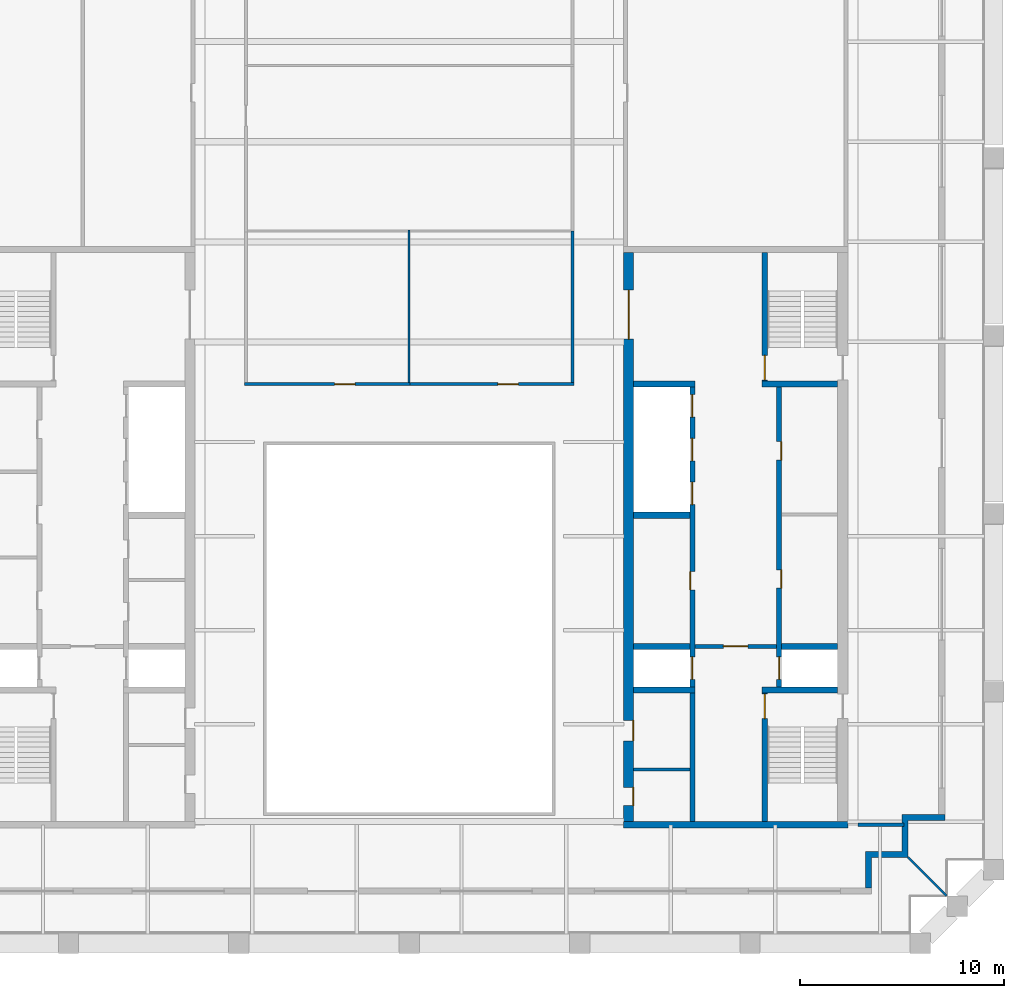
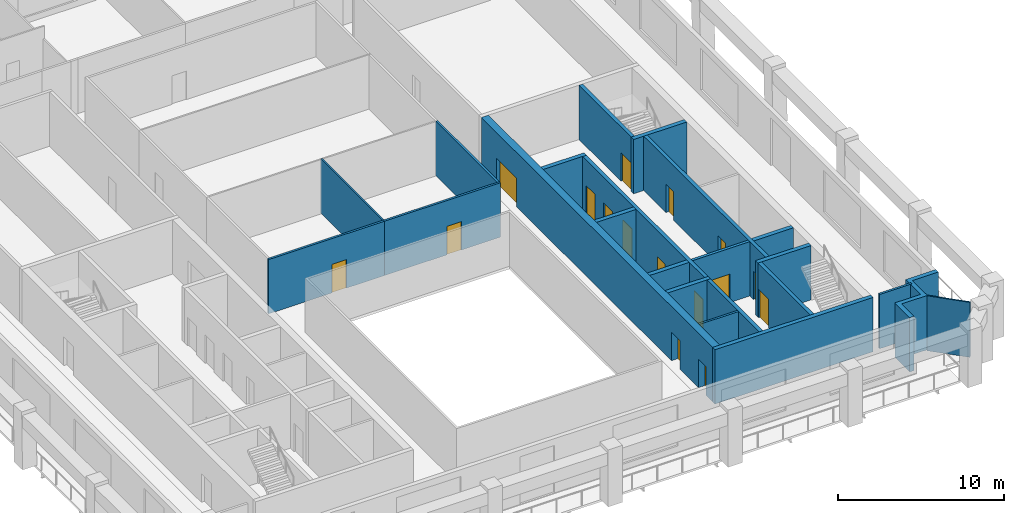
# One storey, part 4 of 8: 22 walls, 16 doors, 16 openings.
"""IFC4 building model written with IfcOpenShell, lengths in metres."""

from ifc_helpers import new_model, si_unit, direction, frame, frame_2d, origin, place, context, subcontext, project, spatial, polyline, rectangle, outline, extrude, material, layer, layer_set, type_object, element, fill, save


model = new_model("IFC4")

# Units and contexts
model_context = context("Model", 3, precision=1e-05, world=origin(), true_north=direction((0.0, 1.0)))
body_context = subcontext(model_context, "Body", "Model", "MODEL_VIEW")
ifc_project = project(units=[si_unit("LENGTHUNIT", "METRE"), si_unit("AREAUNIT", "SQUARE_METRE"), si_unit("VOLUMEUNIT", "CUBIC_METRE"), si_unit("PLANEANGLEUNIT", "RADIAN"), si_unit("MASSUNIT", "GRAM", prefix="KILO")], contexts=[model_context])

# Site, building, storey
site_placement = place(None, origin())
site = spatial("IfcSite", under=ifc_project, at=site_placement, CompositionType="ELEMENT")
building_placement = place(site_placement, origin())
building = spatial("IfcBuilding", under=site, at=building_placement, Name="Ogive Exchange Tower", CompositionType="ELEMENT")
storey_placement = place(building_placement, frame((0.0, 0.0, 351.0)))
storey = spatial("IfcBuildingStorey", under=building, at=storey_placement, Name="L77", CompositionType="ELEMENT", Elevation=351.0)

# Wall
ifc_material_1 = material(Name="Gypsum board partition")
ifc_layer_1 = layer(ifc_material_1, 0.14990234375)
ifc_layer_set_1 = layer_set([ifc_layer_1], Name="Core room partition 150 gypsum")
wall_type_1 = type_object("IfcWallType", Name="Core room partition 150 gypsum", PredefinedType="PARTITIONING", material=ifc_layer_set_1)
wall_1_placement = place(storey_placement, frame((11.0, 0.10009765625, 0.0), z_axis=(0.0, 0.0, 1.0), x_axis=(1.0, 0.0, 0.0)))
element("IfcWall", 1, at=wall_1_placement, inside=storey, type_object=wall_type_1, Name="E south room partition", PredefinedType="PARTITIONING", context=body_context, shape_type="SweptSolid", body=[
    extrude(rectangle(XDim=2.75, YDim=0.14990234375, at=frame_2d((1.375, 0.0))), origin(), (0.0, 0.0, 1.0), 4.0),
])

# Wall, opening, door
ifc_material_2 = material(Name="Fire partition EI 60 150")
ifc_layer_2 = layer(ifc_material_2, 0.14990234375)
ifc_layer_set_2 = layer_set([ifc_layer_2], Name="Fire partition EI 60 150")
wall_type_2 = type_object("IfcWallType", Name="Fire partition EI 60 150", PredefinedType="PARTITIONING", material=ifc_layer_set_2)
wall_2_placement = place(storey_placement, frame((-8.074951171875, 19.0, 0.0), z_axis=(0.0, 0.0, 1.0), x_axis=(1.0, 0.0, 0.0)))
wall_2 = element("IfcWall", 2, at=wall_2_placement, inside=storey, type_object=wall_type_2, Name="L77-PWL-012", PredefinedType="PARTITIONING", context=body_context, shape_type="SweptSolid", body=[
    extrude(rectangle(XDim=8.125, YDim=0.14990234375, at=frame_2d((4.0625, 0.0))), origin(), (0.0, 0.0, 1.0), 4.0),
])
opening_1_placement = place(wall_2_placement, frame((4.425048828125, 0.0, 0.0)))
opening_1 = element("IfcOpeningElement", 3, at=opening_1_placement, cuts=wall_2, Name="Opening L77-I14", PredefinedType="OPENING", context=body_context, shape_type="SweptSolid", body=[
    extrude(rectangle(XDim=1.0, YDim=2.10009765625, at=frame_2d((0.5, 1.050048828125))), frame((0.0, 0.0849609375, 0.0), z_axis=(0.0, -1.0, 0.0), x_axis=(1.0, 0.0, 0.0)), (0.0, 0.0, 1.0), 0.169921875),
])
ifc_material_3 = material(Name="Fire door FD 30S 1000 x 2100")
door_type_1 = type_object("IfcDoorType", Name="Fire door FD 30S 1000 x 2100", OperationType="NOTDEFINED", PredefinedType="DOOR", material=ifc_material_3)
door_1_placement = place(opening_1_placement, origin())
door_1 = element("IfcDoor", 4, at=door_1_placement, inside=storey, type_object=door_type_1, Name="L77-IDR-014", ObjectType="DT3", OperationType="SINGLE_SWING_LEFT", OverallHeight=2.10009765625, OverallWidth=1.0, PredefinedType="DOOR", context=body_context, shape_type="SweptSolid", body=[
    extrude(rectangle(XDim=1.0, YDim=2.10009765625, at=frame_2d((0.5, 1.050048828125))), frame((0.0, 0.02490234375, 0.0), z_axis=(0.0, -1.0, 0.0), x_axis=(1.0, 0.0, 0.0)), (0.0, 0.0, 1.0), 0.050048828125),
])
fill(opening_1, door_1)

wall_3_placement = place(storey_placement, frame((0.0, 19.0, 0.0), z_axis=(0.0, 0.0, 1.0), x_axis=(1.0, 0.0, 0.0)))
wall_3 = element("IfcWall", 5, at=wall_3_placement, inside=storey, type_object=wall_type_2, Name="L77-PWL-022", PredefinedType="PARTITIONING", context=body_context, shape_type="SweptSolid", body=[
    extrude(rectangle(XDim=8.074951171875, YDim=0.14990234375, at=frame_2d((4.03759765625, 0.0))), origin(), (0.0, 0.0, 1.0), 4.0),
])
opening_2_placement = place(wall_3_placement, frame((4.35009765625, 0.0, 0.0)))
opening_2 = element("IfcOpeningElement", 6, at=opening_2_placement, cuts=wall_3, Name="Opening L77-I13", PredefinedType="OPENING", context=body_context, shape_type="SweptSolid", body=[
    extrude(rectangle(XDim=1.0, YDim=2.10009765625, at=frame_2d((0.5, 1.050048828125))), frame((0.0, 0.0849609375, 0.0), z_axis=(0.0, -1.0, 0.0), x_axis=(1.0, 0.0, 0.0)), (0.0, 0.0, 1.0), 0.169921875),
])
door_2_placement = place(opening_2_placement, origin())
door_2 = element("IfcDoor", 7, at=door_2_placement, inside=storey, type_object=door_type_1, Name="L77-IDR-013", ObjectType="DT3", OperationType="SINGLE_SWING_LEFT", OverallHeight=2.10009765625, OverallWidth=1.0, PredefinedType="DOOR", context=body_context, shape_type="SweptSolid", body=[
    extrude(rectangle(XDim=1.0, YDim=2.10009765625, at=frame_2d((0.5, 1.050048828125))), frame((0.0, 0.02490234375, 0.0), z_axis=(0.0, -1.0, 0.0), x_axis=(1.0, 0.0, 0.0)), (0.0, 0.0, 1.0), 0.050048828125),
])
fill(opening_2, door_2)

# Walls
wall_4_placement = place(storey_placement, frame((8.0, 19.074951171875, 0.0), z_axis=(0.0, 0.0, 1.0), x_axis=(0.0, 1.0, 0.0)))
element("IfcWall", 8, at=wall_4_placement, inside=storey, type_object=wall_type_2, Name="L77-PWL-028", PredefinedType="PARTITIONING", context=body_context, shape_type="SweptSolid", body=[
    extrude(rectangle(XDim=7.425048828125, YDim=0.14990234375, at=frame_2d((3.71240234375, 0.0))), origin(), (0.0, 0.0, 1.0), 4.0),
])
wall_5_placement = place(storey_placement, frame((22.0, -2.60009765625, 0.0), z_axis=(0.0, 0.0, 1.0), x_axis=(1.0, 0.0, 0.0)))
element("IfcWall", 9, at=wall_5_placement, inside=storey, type_object=wall_type_2, Name="L77-PWL-037", PredefinedType="PARTITIONING", context=body_context, shape_type="SweptSolid", body=[
    extrude(rectangle(XDim=2.25, YDim=0.14990234375, at=frame_2d((1.125, 0.0))), origin(), (0.0, 0.0, 1.0), 4.0),
])
ifc_material_4 = material(Name="Precast concrete C40/50", Category="concrete")
ifc_layer_3 = layer(ifc_material_4, 0.300048828125)
ifc_layer_set_3 = layer_set([ifc_layer_3], Name="Limestone-faced wall 300")
wall_type_3 = type_object("IfcWallType", Name="Limestone-faced wall 300", PredefinedType="STANDARD", material=ifc_layer_set_3)
wall_6_placement = place(storey_placement, origin())
element("IfcWall", 10, at=wall_6_placement, inside=storey, type_object=wall_type_3, Name="External corner wall C1", PredefinedType="STANDARD", context=body_context, shape_type="SweptSolid", body=[
    extrude(outline(polyline([(24.14990234375, -3.89990234375), (24.14990234375, -2.10009765625), (26.25, -2.10009765625), (26.25, -2.39990234375), (24.449951171875, -2.39990234375), (24.449951171875, -4.199951171875), (22.64990234375, -4.199951171875), (22.64990234375, -5.699951171875), (22.35009765625, -5.699951171875), (22.35009765625, -3.89990234375), (24.14990234375, -3.89990234375)])), origin(), (0.0, 0.0, 1.0), 4.0),
])
ifc_material_5 = material(Name="Laminated safety glass in steel frame", Category="steel")
ifc_layer_4 = layer(ifc_material_5, 0.10009765625)
ifc_layer_set_4 = layer_set([ifc_layer_4], Name="Loggia end screen 100")
wall_type_4 = type_object("IfcWallType", Name="Loggia end screen 100", PredefinedType="STANDARD", material=ifc_layer_set_4)
wall_7_placement = place(storey_placement, frame((24.449951171875, -4.199951171875, -0.050048828125), z_axis=(0.0, 0.0, 1.0), x_axis=(0.707106781187, -0.707106781187, 0.0)))
element("IfcWall", 11, at=wall_7_placement, inside=storey, type_object=wall_type_4, Name="Loggia end screen C1", PredefinedType="STANDARD", context=body_context, shape_type="SweptSolid", body=[
    extrude(rectangle(XDim=2.667236328125, YDim=0.10009765625, at=frame_2d((1.33349609375, 0.0))), origin(), (0.0, 0.0, 1.0), 4.050048828125),
])
ifc_material_6 = material(Name="Partition 100 gypsum")
ifc_layer_5 = layer(ifc_material_6, 0.10009765625)
ifc_layer_set_5 = layer_set([ifc_layer_5], Name="Partition 100 gypsum")
wall_type_5 = type_object("IfcWallType", Name="Partition 100 gypsum", PredefinedType="PARTITIONING", material=ifc_layer_set_5)
wall_8_placement = place(storey_placement, frame((0.0, 19.074951171875, 0.0), z_axis=(0.0, 0.0, 1.0), x_axis=(0.0, 1.0, 0.0)))
element("IfcWall", 12, at=wall_8_placement, inside=storey, type_object=wall_type_5, Name="L77-PWL-021", PredefinedType="PARTITIONING", context=body_context, shape_type="SweptSolid", body=[
    extrude(rectangle(XDim=7.47509765625, YDim=0.10009765625, at=frame_2d((3.737548828125, 0.0))), origin(), (0.0, 0.0, 1.0), 4.0),
])

# Wall, opening, door
ifc_material_7 = material(Name="Concrete C70/85", Category="concrete")
ifc_layer_6 = layer(ifc_material_7, 0.199951171875)
ifc_layer_set_6 = layer_set([ifc_layer_6], Name="RC core wall 200 C70/85")
wall_type_6 = type_object("IfcWallType", Name="RC core wall 200 C70/85", PredefinedType="SHEAR", material=ifc_layer_set_6)
wall_9_placement = place(storey_placement, frame((14.0, 6.142822265625, 0.0), z_axis=(0.0, 0.0, 1.0), x_axis=(1.0, 0.0, 0.0)))
wall_9 = element("IfcWall", 13, at=wall_9_placement, inside=storey, type_object=wall_type_6, Name="E firefighting lobby wall", PredefinedType="SHEAR", context=body_context, shape_type="SweptSolid", body=[
    extrude(rectangle(XDim=4.0, YDim=0.199951171875, at=frame_2d((2.0, 0.0))), origin(), (0.0, 0.0, 1.0), 4.0),
])
opening_3_placement = place(wall_9_placement, frame((1.39990234375, 0.0, 0.0)))
opening_3 = element("IfcOpeningElement", 14, at=opening_3_placement, cuts=wall_9, Name="Opening L77-C29", PredefinedType="OPENING", context=body_context, shape_type="SweptSolid", body=[
    extrude(rectangle(XDim=1.199951171875, YDim=2.10009765625, at=frame_2d((0.60009765625, 1.050048828125))), frame((0.0, 0.10986328125, 0.0), z_axis=(0.0, -1.0, 0.0), x_axis=(1.0, 0.0, 0.0)), (0.0, 0.0, 1.0), 0.219970703125),
])
ifc_material_8 = material(Name="Steel fire door", Category="steel")
door_type_2 = type_object("IfcDoorType", Name="Firefighting lobby door FD60 1200 x 2100", OperationType="NOTDEFINED", PredefinedType="DOOR", material=ifc_material_8)
door_3_placement = place(opening_3_placement, frame((1.199951171875, 0.0, 0.0), z_axis=(0.0, 0.0, 1.0), x_axis=(-1.0, 0.0, 0.0)))
door_3 = element("IfcDoor", 15, at=door_3_placement, inside=storey, type_object=door_type_2, Name="Firefighting lobby door", ObjectType="CD3", OperationType="SINGLE_SWING_RIGHT", OverallHeight=2.10009765625, OverallWidth=1.199951171875, PredefinedType="DOOR", context=body_context, shape_type="SweptSolid", body=[
    extrude(rectangle(XDim=1.199951171875, YDim=2.10009765625, at=frame_2d((0.60009765625, 1.050048828125))), frame((0.0, 0.02490234375, 0.0), z_axis=(0.0, -1.0, 0.0), x_axis=(1.0, 0.0, 0.0)), (0.0, 0.0, 1.0), 0.050048828125),
])
fill(opening_3, door_3)

ifc_layer_7 = layer(ifc_material_7, 0.25)
ifc_layer_set_7 = layer_set([ifc_layer_7], Name="RC core wall 250 C70/85")
wall_type_7 = type_object("IfcWallType", Name="RC core wall 250 C70/85", PredefinedType="SHEAR", material=ifc_layer_set_7)
wall_10_placement = place(storey_placement, frame((17.425048828125, -2.449951171875, 0.0), z_axis=(0.0, 0.0, 1.0), x_axis=(0.0, 1.0, 0.0)))
wall_10 = element("IfcWall", 16, at=wall_10_placement, inside=storey, type_object=wall_type_7, Name="E stair S front wall", PredefinedType="SHEAR", context=body_context, shape_type="SweptSolid", body=[
    extrude(rectangle(XDim=6.300048828125, YDim=0.25, at=frame_2d((3.14990234375, 0.0))), origin(), (0.0, 0.0, 1.0), 4.0),
])
opening_4_placement = place(wall_10_placement, frame((5.050048828125, 0.0, 0.0)))
opening_4 = element("IfcOpeningElement", 17, at=opening_4_placement, cuts=wall_10, Name="Opening L77-C31", PredefinedType="OPENING", context=body_context, shape_type="SweptSolid", body=[
    extrude(rectangle(XDim=1.199951171875, YDim=2.10009765625, at=frame_2d((0.60009765625, 1.050048828125))), frame((0.0, 0.135009765625, 0.0), z_axis=(0.0, -1.0, 0.0), x_axis=(1.0, 0.0, 0.0)), (0.0, 0.0, 1.0), 0.27001953125),
])
door_type_3 = type_object("IfcDoorType", Name="Stair door FD90 1200 x 2100", OperationType="NOTDEFINED", PredefinedType="DOOR", material=ifc_material_8)
door_4_placement = place(opening_4_placement, frame((1.199951171875, 0.0, 0.0), z_axis=(0.0, 0.0, 1.0), x_axis=(-1.0, 0.0, 0.0)))
door_4 = element("IfcDoor", 18, at=door_4_placement, inside=storey, type_object=door_type_3, Name="Stair door", ObjectType="CD5", OperationType="SINGLE_SWING_RIGHT", OverallHeight=2.10009765625, OverallWidth=1.199951171875, PredefinedType="DOOR", context=body_context, shape_type="SweptSolid", body=[
    extrude(rectangle(XDim=1.199951171875, YDim=2.10009765625, at=frame_2d((0.60009765625, 1.050048828125))), frame((0.0, 0.02490234375, 0.0), z_axis=(0.0, -1.0, 0.0), x_axis=(1.0, 0.0, 0.0)), (0.0, 0.0, 1.0), 0.050048828125),
])
fill(opening_4, door_4)

wall_11_placement = place(storey_placement, frame((17.425048828125, 19.14990234375, 0.0), z_axis=(0.0, 0.0, 1.0), x_axis=(0.0, 1.0, 0.0)))
wall_11 = element("IfcWall", 19, at=wall_11_placement, inside=storey, type_object=wall_type_7, Name="E stair N front wall", PredefinedType="SHEAR", context=body_context, shape_type="SweptSolid", body=[
    extrude(rectangle(XDim=6.300048828125, YDim=0.25, at=frame_2d((3.14990234375, 0.0))), origin(), (0.0, 0.0, 1.0), 4.0),
])
opening_5_placement = place(wall_11_placement, frame((0.050048828125, 0.0, 0.0)))
opening_5 = element("IfcOpeningElement", 20, at=opening_5_placement, cuts=wall_11, Name="Opening L77-C33", PredefinedType="OPENING", context=body_context, shape_type="SweptSolid", body=[
    extrude(rectangle(XDim=1.199951171875, YDim=2.10009765625, at=frame_2d((0.60009765625, 1.050048828125))), frame((0.0, 0.135009765625, 0.0), z_axis=(0.0, -1.0, 0.0), x_axis=(1.0, 0.0, 0.0)), (0.0, 0.0, 1.0), 0.27001953125),
])
door_5_placement = place(opening_5_placement, frame((1.199951171875, 0.0, 0.0), z_axis=(0.0, 0.0, 1.0), x_axis=(-1.0, 0.0, 0.0)))
door_5 = element("IfcDoor", 21, at=door_5_placement, inside=storey, type_object=door_type_3, Name="Stair door", ObjectType="CD5", OperationType="SINGLE_SWING_LEFT", OverallHeight=2.10009765625, OverallWidth=1.199951171875, PredefinedType="DOOR", context=body_context, shape_type="SweptSolid", body=[
    extrude(rectangle(XDim=1.199951171875, YDim=2.10009765625, at=frame_2d((0.60009765625, 1.050048828125))), frame((0.0, 0.02490234375, 0.0), z_axis=(0.0, -1.0, 0.0), x_axis=(1.0, 0.0, 0.0)), (0.0, 0.0, 1.0), 0.050048828125),
])
fill(opening_5, door_5)

# Wall, openings, doors
wall_12_placement = place(storey_placement, frame((18.125, 4.14990234375, 0.0), z_axis=(0.0, 0.0, 1.0), x_axis=(0.0, 1.0, 0.0)))
wall_12 = element("IfcWall", 22, at=wall_12_placement, inside=storey, type_object=wall_type_7, Name="E row A front wall", PredefinedType="SHEAR", context=body_context, shape_type="SweptSolid", body=[
    extrude(rectangle(XDim=14.7001953125, YDim=0.25, at=frame_2d((7.35009765625, 0.0))), origin(), (0.0, 0.0, 1.0), 4.0),
])
opening_6_placement = place(wall_12_placement, frame((4.846435546875, 0.0, 0.0)))
opening_6 = element("IfcOpeningElement", 23, at=opening_6_placement, cuts=wall_12, Name="Opening L77-C21", PredefinedType="OPENING", context=body_context, shape_type="SweptSolid", body=[
    extrude(rectangle(XDim=0.89990234375, YDim=2.10009765625, at=frame_2d((0.449951171875, 1.050048828125))), frame((0.0, 0.135009765625, 0.0), z_axis=(0.0, -1.0, 0.0), x_axis=(1.0, 0.0, 0.0)), (0.0, 0.0, 1.0), 0.27001953125),
])
opening_7_placement = place(wall_12_placement, frame((11.125, 0.0, 0.0)))
opening_7 = element("IfcOpeningElement", 24, at=opening_7_placement, cuts=wall_12, Name="Opening L77-C22", PredefinedType="OPENING", context=body_context, shape_type="SweptSolid", body=[
    extrude(rectangle(XDim=0.89990234375, YDim=2.10009765625, at=frame_2d((0.449951171875, 1.050048828125))), frame((0.0, 0.135009765625, 0.0), z_axis=(0.0, -1.0, 0.0), x_axis=(1.0, 0.0, 0.0)), (0.0, 0.0, 1.0), 0.27001953125),
])
opening_8_placement = place(wall_12_placement, frame((0.371337890625, 0.0, 0.0)))
opening_8 = element("IfcOpeningElement", 25, at=opening_8_placement, cuts=wall_12, Name="Opening L77-C23", PredefinedType="OPENING", context=body_context, shape_type="SweptSolid", body=[
    extrude(rectangle(XDim=1.10009765625, YDim=2.10009765625, at=frame_2d((0.550048828125, 1.050048828125))), frame((0.0, 0.135009765625, 0.0), z_axis=(0.0, -1.0, 0.0), x_axis=(1.0, 0.0, 0.0)), (0.0, 0.0, 1.0), 0.27001953125),
])
ifc_material_9 = material(Name="Timber fire door", Category="wood")
door_type_4 = type_object("IfcDoorType", Name="Core room door FD30S 900 x 2100", OperationType="NOTDEFINED", PredefinedType="DOOR", material=ifc_material_9)
door_6_placement = place(opening_7_placement, frame((0.89990234375, -0.2001953125, 0.0), z_axis=(0.0, 0.0, 1.0), x_axis=(-1.0, 0.0, 0.0)))
door_6 = element("IfcDoor", 26, at=door_6_placement, inside=storey, type_object=door_type_4, Name="Core room door", ObjectType="CD6", OperationType="SINGLE_SWING_RIGHT", OverallHeight=2.10009765625, OverallWidth=0.89990234375, PredefinedType="DOOR", context=body_context, shape_type="SweptSolid", body=[
    extrude(rectangle(XDim=0.89990234375, YDim=2.10009765625, at=frame_2d((0.449951171875, 1.050048828125))), frame((0.0, -0.0751953125, 0.0), z_axis=(0.0, -1.0, 0.0), x_axis=(1.0, 0.0, 0.0)), (0.0, 0.0, 1.0), 0.050048828125),
])
fill(opening_7, door_6)
ifc_material_10 = material(Name="Stainless steel", Category="steel")
door_type_5 = type_object("IfcDoorType", Name="Lift landing door FD90 1100 x 2100", OperationType="SLIDING_TO_LEFT", PredefinedType="DOOR", material=ifc_material_10)
door_7_placement = place(opening_8_placement, origin())
door_7 = element("IfcDoor", 27, at=door_7_placement, inside=storey, type_object=door_type_5, Name="Lift landing door FF2", ObjectType="LD", OperationType="SLIDING_TO_LEFT", OverallHeight=2.10009765625, OverallWidth=1.10009765625, PredefinedType="DOOR", context=body_context, shape_type="SweptSolid", body=[
    extrude(rectangle(XDim=1.10009765625, YDim=2.10009765625, at=frame_2d((0.550048828125, 1.050048828125))), frame((0.0, 0.02490234375, 0.0), z_axis=(0.0, -1.0, 0.0), x_axis=(1.0, 0.0, 0.0)), (0.0, 0.0, 1.0), 0.050048828125),
])
fill(opening_8, door_7)
door_type_6 = type_object("IfcDoorType", Name="Riser door FD60 900 x 2100", OperationType="NOTDEFINED", PredefinedType="DOOR", material=ifc_material_8)
door_8_placement = place(opening_6_placement, frame((0.89990234375, -0.2001953125, 0.0), z_axis=(0.0, 0.0, 1.0), x_axis=(-1.0, 0.0, 0.0)))
door_8 = element("IfcDoor", 28, at=door_8_placement, inside=storey, type_object=door_type_6, Name="Riser door", ObjectType="CD2", OperationType="SINGLE_SWING_RIGHT", OverallHeight=2.10009765625, OverallWidth=0.89990234375, PredefinedType="DOOR", context=body_context, shape_type="SweptSolid", body=[
    extrude(rectangle(XDim=0.89990234375, YDim=2.10009765625, at=frame_2d((0.449951171875, 1.050048828125))), frame((0.0, -0.0751953125, 0.0), z_axis=(0.0, -1.0, 0.0), x_axis=(1.0, 0.0, 0.0)), (0.0, 0.0, 1.0), 0.050048828125),
])
fill(opening_6, door_8)

wall_13_placement = place(storey_placement, frame((13.875, -2.449951171875, 0.0), z_axis=(0.0, 0.0, 1.0), x_axis=(0.0, 1.0, 0.0)))
wall_13 = element("IfcWall", 29, at=wall_13_placement, inside=storey, type_object=wall_type_7, Name="E row B front wall", PredefinedType="SHEAR", context=body_context, shape_type="SweptSolid", body=[
    extrude(rectangle(XDim=21.300048828125, YDim=0.25, at=frame_2d((10.64990234375, 0.0))), origin(), (0.0, 0.0, 1.0), 4.0),
])
opening_9_placement = place(wall_13_placement, frame((11.357177734375, 0.0, 0.0)))
opening_9 = element("IfcOpeningElement", 30, at=opening_9_placement, cuts=wall_13, Name="Opening L77-C24", PredefinedType="OPENING", context=body_context, shape_type="SweptSolid", body=[
    extrude(rectangle(XDim=0.89990234375, YDim=2.10009765625, at=frame_2d((0.449951171875, 1.050048828125))), frame((0.0, 0.135009765625, 0.0), z_axis=(0.0, -1.0, 0.0), x_axis=(1.0, 0.0, 0.0)), (0.0, 0.0, 1.0), 0.27001953125),
])
opening_10_placement = place(wall_13_placement, frame((6.971435546875, 0.0, 0.0)))
opening_10 = element("IfcOpeningElement", 31, at=opening_10_placement, cuts=wall_13, Name="Opening L77-C25", PredefinedType="OPENING", context=body_context, shape_type="SweptSolid", body=[
    extrude(rectangle(XDim=1.10009765625, YDim=2.10009765625, at=frame_2d((0.550048828125, 1.050048828125))), frame((0.0, 0.135009765625, 0.0), z_axis=(0.0, -1.0, 0.0), x_axis=(1.0, 0.0, 0.0)), (0.0, 0.0, 1.0), 0.27001953125),
])
opening_11_placement = place(wall_13_placement, frame((15.54296875, 0.0, 0.0)))
opening_11 = element("IfcOpeningElement", 32, at=opening_11_placement, cuts=wall_13, Name="Opening L77-C26", PredefinedType="OPENING", context=body_context, shape_type="SweptSolid", body=[
    extrude(rectangle(XDim=1.10009765625, YDim=2.10009765625, at=frame_2d((0.550048828125, 1.050048828125))), frame((0.0, 0.135009765625, 0.0), z_axis=(0.0, -1.0, 0.0), x_axis=(1.0, 0.0, 0.0)), (0.0, 0.0, 1.0), 0.27001953125),
])
opening_12_placement = place(wall_13_placement, frame((17.685791015625, 0.0, 0.0)))
opening_12 = element("IfcOpeningElement", 33, at=opening_12_placement, cuts=wall_13, Name="Opening L77-C27", PredefinedType="OPENING", context=body_context, shape_type="SweptSolid", body=[
    extrude(rectangle(XDim=1.10009765625, YDim=2.10009765625, at=frame_2d((0.550048828125, 1.050048828125))), frame((0.0, 0.135009765625, 0.0), z_axis=(0.0, -1.0, 0.0), x_axis=(1.0, 0.0, 0.0)), (0.0, 0.0, 1.0), 0.27001953125),
])
opening_13_placement = place(wall_13_placement, frame((19.82861328125, 0.0, 0.0)))
opening_13 = element("IfcOpeningElement", 34, at=opening_13_placement, cuts=wall_13, Name="Opening L77-C28", PredefinedType="OPENING", context=body_context, shape_type="SweptSolid", body=[
    extrude(rectangle(XDim=1.10009765625, YDim=2.10009765625, at=frame_2d((0.550048828125, 1.050048828125))), frame((0.0, 0.135009765625, 0.0), z_axis=(0.0, -1.0, 0.0), x_axis=(1.0, 0.0, 0.0)), (0.0, 0.0, 1.0), 0.27001953125),
])
door_9_placement = place(opening_10_placement, origin())
door_9 = element("IfcDoor", 35, at=door_9_placement, inside=storey, type_object=door_type_5, Name="Lift landing door SV2", ObjectType="LD", OperationType="SLIDING_TO_LEFT", OverallHeight=2.10009765625, OverallWidth=1.10009765625, PredefinedType="DOOR", context=body_context, shape_type="SweptSolid", body=[
    extrude(rectangle(XDim=1.10009765625, YDim=2.10009765625, at=frame_2d((0.550048828125, 1.050048828125))), frame((0.0, 0.02490234375, 0.0), z_axis=(0.0, -1.0, 0.0), x_axis=(1.0, 0.0, 0.0)), (0.0, 0.0, 1.0), 0.050048828125),
])
fill(opening_10, door_9)
door_10_placement = place(opening_11_placement, origin())
door_10 = element("IfcDoor", 36, at=door_10_placement, inside=storey, type_object=door_type_5, Name="Lift landing door E-H1", ObjectType="LD", OperationType="SLIDING_TO_LEFT", OverallHeight=2.10009765625, OverallWidth=1.10009765625, PredefinedType="DOOR", context=body_context, shape_type="SweptSolid", body=[
    extrude(rectangle(XDim=1.10009765625, YDim=2.10009765625, at=frame_2d((0.550048828125, 1.050048828125))), frame((0.0, 0.02490234375, 0.0), z_axis=(0.0, -1.0, 0.0), x_axis=(1.0, 0.0, 0.0)), (0.0, 0.0, 1.0), 0.050048828125),
])
fill(opening_11, door_10)
door_11_placement = place(opening_12_placement, origin())
door_11 = element("IfcDoor", 37, at=door_11_placement, inside=storey, type_object=door_type_5, Name="Lift landing door E-H2", ObjectType="LD", OperationType="SLIDING_TO_LEFT", OverallHeight=2.10009765625, OverallWidth=1.10009765625, PredefinedType="DOOR", context=body_context, shape_type="SweptSolid", body=[
    extrude(rectangle(XDim=1.10009765625, YDim=2.10009765625, at=frame_2d((0.550048828125, 1.050048828125))), frame((0.0, 0.02490234375, 0.0), z_axis=(0.0, -1.0, 0.0), x_axis=(1.0, 0.0, 0.0)), (0.0, 0.0, 1.0), 0.050048828125),
])
fill(opening_12, door_11)
door_12_placement = place(opening_13_placement, origin())
door_12 = element("IfcDoor", 38, at=door_12_placement, inside=storey, type_object=door_type_5, Name="Lift landing door E-H3", ObjectType="LD", OperationType="SLIDING_TO_LEFT", OverallHeight=2.10009765625, OverallWidth=1.10009765625, PredefinedType="DOOR", context=body_context, shape_type="SweptSolid", body=[
    extrude(rectangle(XDim=1.10009765625, YDim=2.10009765625, at=frame_2d((0.550048828125, 1.050048828125))), frame((0.0, 0.02490234375, 0.0), z_axis=(0.0, -1.0, 0.0), x_axis=(1.0, 0.0, 0.0)), (0.0, 0.0, 1.0), 0.050048828125),
])
fill(opening_13, door_12)
door_13_placement = place(opening_9_placement, origin())
door_13 = element("IfcDoor", 39, at=door_13_placement, inside=storey, type_object=door_type_6, Name="Riser door", ObjectType="CD2", OperationType="SINGLE_SWING_RIGHT", OverallHeight=2.10009765625, OverallWidth=0.89990234375, PredefinedType="DOOR", context=body_context, shape_type="SweptSolid", body=[
    extrude(rectangle(XDim=0.89990234375, YDim=2.10009765625, at=frame_2d((0.449951171875, 1.050048828125))), frame((0.0, 0.125, 0.0), z_axis=(0.0, -1.0, 0.0), x_axis=(1.0, 0.0, 0.0)), (0.0, 0.0, 1.0), 0.050048828125),
])
fill(opening_9, door_13)

# Walls
ifc_layer_8 = layer(ifc_material_7, 0.300048828125)
ifc_layer_set_8 = layer_set([ifc_layer_8], Name="RC core wall 300 C70/85")
wall_type_8 = type_object("IfcWallType", Name="RC core wall 300 C70/85", PredefinedType="SHEAR", material=ifc_layer_set_8)
wall_14_placement = place(storey_placement, frame((10.5, -2.60009765625, 0.0), z_axis=(0.0, 0.0, 1.0), x_axis=(1.0, 0.0, 0.0)))
element("IfcWall", 40, at=wall_14_placement, inside=storey, type_object=wall_type_8, Name="E south end wall", PredefinedType="SHEAR", context=body_context, shape_type="SweptSolid", body=[
    extrude(rectangle(XDim=11.0, YDim=0.300048828125, at=frame_2d((5.5, 0.0))), origin(), (0.0, 0.0, 1.0), 4.0),
])
for number, where, z_axis, x_axis, name in (
    (41, (17.300048828125, 4.0, 0.0), (0.0, 0.0, 1.0), (1.0, 0.0, 0.0), "E stair S north wall"),
    (42, (17.300048828125, 19.0, 0.0), (0.0, 0.0, 1.0), (1.0, 0.0, 0.0), "E stair N south wall"),
):
    element("IfcWall", number, at=place(storey_placement, frame(where, z_axis=z_axis, x_axis=x_axis)), inside=storey, type_object=wall_type_8, Name=name, PredefinedType="SHEAR", context=body_context, shape_type="SweptSolid", body=[
        extrude(rectangle(XDim=3.699951171875, YDim=0.300048828125, at=frame_2d((1.85009765625, 0.0))), origin(), (0.0, 0.0, 1.0), 4.0),
    ])
wall_15_placement = place(storey_placement, frame((18.25, 6.142822265625, 0.0), z_axis=(0.0, 0.0, 1.0), x_axis=(1.0, 0.0, 0.0)))
element("IfcWall", 43, at=wall_15_placement, inside=storey, type_object=wall_type_8, Name="E row A divider 1", PredefinedType="SHEAR", context=body_context, shape_type="SweptSolid", body=[
    extrude(rectangle(XDim=2.75, YDim=0.300048828125, at=frame_2d((1.375, 0.0))), origin(), (0.0, 0.0, 1.0), 4.0),
])
wall_16_placement = place(storey_placement, frame((11.0, 4.0, 0.0), z_axis=(0.0, 0.0, 1.0), x_axis=(1.0, 0.0, 0.0)))
element("IfcWall", 44, at=wall_16_placement, inside=storey, type_object=wall_type_8, Name="E row B divider 0", PredefinedType="SHEAR", context=body_context, shape_type="SweptSolid", body=[
    extrude(rectangle(XDim=3.0, YDim=0.300048828125, at=frame_2d((1.5, 0.0))), origin(), (0.0, 0.0, 1.0), 4.0),
])
for number, where, z_axis, x_axis, name in (
    (45, (11.0, 6.142822265625, 0.0), (0.0, 0.0, 1.0), (1.0, 0.0, 0.0), "E row B divider 1"),
    (46, (11.0, 12.5712890625, 0.0), (0.0, 0.0, 1.0), (1.0, 0.0, 0.0), "E row B divider 4"),
):
    element("IfcWall", number, at=place(storey_placement, frame(where, z_axis=z_axis, x_axis=x_axis)), inside=storey, type_object=wall_type_8, Name=name, PredefinedType="SHEAR", context=body_context, shape_type="SweptSolid", body=[
        extrude(rectangle(XDim=2.75, YDim=0.300048828125, at=frame_2d((1.375, 0.0))), origin(), (0.0, 0.0, 1.0), 4.0),
    ])
wall_17_placement = place(storey_placement, frame((11.0, 19.0, 0.0), z_axis=(0.0, 0.0, 1.0), x_axis=(1.0, 0.0, 0.0)))
element("IfcWall", 47, at=wall_17_placement, inside=storey, type_object=wall_type_8, Name="E row B divider 7", PredefinedType="SHEAR", context=body_context, shape_type="SweptSolid", body=[
    extrude(rectangle(XDim=3.0, YDim=0.300048828125, at=frame_2d((1.5, 0.0))), origin(), (0.0, 0.0, 1.0), 4.0),
])

# Wall, openings, doors
ifc_layer_9 = layer(ifc_material_7, 0.5)
ifc_layer_set_9 = layer_set([ifc_layer_9], Name="RC core wall 500 C70/85")
wall_type_9 = type_object("IfcWallType", Name="RC core wall 500 C70/85", PredefinedType="SHEAR", material=ifc_layer_set_9)
wall_18_placement = place(storey_placement, frame((10.75, -2.449951171875, 0.0), z_axis=(0.0, 0.0, 1.0), x_axis=(0.0, 1.0, 0.0)))
wall_18 = element("IfcWall", 48, at=wall_18_placement, inside=storey, type_object=wall_type_9, Name="E inner wall", PredefinedType="SHEAR", context=body_context, shape_type="SweptSolid", body=[
    extrude(rectangle(XDim=27.89990234375, YDim=0.5, at=frame_2d((13.949951171875, 0.0))), origin(), (0.0, 0.0, 1.0), 4.0),
])
opening_14_placement = place(wall_18_placement, frame((23.64990234375, 0.0, 0.0)))
opening_14 = element("IfcOpeningElement", 49, at=opening_14_placement, cuts=wall_18, Name="Opening L77-C30", PredefinedType="OPENING", context=body_context, shape_type="SweptSolid", body=[
    extrude(rectangle(XDim=2.39990234375, YDim=2.10009765625, at=frame_2d((1.199951171875, 1.050048828125))), frame((0.0, 0.260009765625, 0.0), z_axis=(0.0, -1.0, 0.0), x_axis=(1.0, 0.0, 0.0)), (0.0, 0.0, 1.0), 0.52001953125),
])
opening_15_placement = place(wall_18_placement, frame((0.78759765625, 0.0, 0.0)))
opening_15 = element("IfcOpeningElement", 50, at=opening_15_placement, cuts=wall_18, Name="Opening L77-C35", PredefinedType="OPENING", context=body_context, shape_type="SweptSolid", body=[
    extrude(rectangle(XDim=0.89990234375, YDim=2.10009765625, at=frame_2d((0.449951171875, 1.050048828125))), frame((0.0, 0.260009765625, 0.0), z_axis=(0.0, -1.0, 0.0), x_axis=(1.0, 0.0, 0.0)), (0.0, 0.0, 1.0), 0.52001953125),
])
opening_16_placement = place(wall_18_placement, frame((3.96240234375, 0.0, 0.0)))
opening_16 = element("IfcOpeningElement", 51, at=opening_16_placement, cuts=wall_18, Name="Opening L77-C36", PredefinedType="OPENING", context=body_context, shape_type="SweptSolid", body=[
    extrude(rectangle(XDim=1.0, YDim=2.10009765625, at=frame_2d((0.5, 1.050048828125))), frame((0.0, 0.260009765625, 0.0), z_axis=(0.0, -1.0, 0.0), x_axis=(1.0, 0.0, 0.0)), (0.0, 0.0, 1.0), 0.52001953125),
])
door_type_7 = type_object("IfcDoorType", Name="Accessible WC door FD30S 1000 x 2100", OperationType="NOTDEFINED", PredefinedType="DOOR", material=ifc_material_9)
door_14_placement = place(opening_16_placement, origin())
door_14 = element("IfcDoor", 52, at=door_14_placement, inside=storey, type_object=door_type_7, Name="Accessible WC door", ObjectType="CD7", OperationType="SINGLE_SWING_LEFT", OverallHeight=2.10009765625, OverallWidth=1.0, PredefinedType="DOOR", context=body_context, shape_type="SweptSolid", body=[
    extrude(rectangle(XDim=1.0, YDim=2.10009765625, at=frame_2d((0.5, 1.050048828125))), frame((0.0, -0.2001953125, 0.0), z_axis=(0.0, -1.0, 0.0), x_axis=(1.0, 0.0, 0.0)), (0.0, 0.0, 1.0), 0.050048828125),
])
fill(opening_16, door_14)
door_15_placement = place(opening_15_placement, origin())
door_15 = element("IfcDoor", 53, at=door_15_placement, inside=storey, type_object=door_type_4, Name="Core room door", ObjectType="CD6", OperationType="SINGLE_SWING_LEFT", OverallHeight=2.10009765625, OverallWidth=0.89990234375, PredefinedType="DOOR", context=body_context, shape_type="SweptSolid", body=[
    extrude(rectangle(XDim=0.89990234375, YDim=2.10009765625, at=frame_2d((0.449951171875, 1.050048828125))), frame((0.0, -0.2001953125, 0.0), z_axis=(0.0, -1.0, 0.0), x_axis=(1.0, 0.0, 0.0)), (0.0, 0.0, 1.0), 0.050048828125),
])
fill(opening_15, door_15)
ifc_material_11 = material(Name="Glazed steel fire door", Category="steel")
door_type_8 = type_object("IfcDoorType", Name="Lift lobby double door FD60 2400 x 2100", OperationType="DOUBLE_DOOR_SINGLE_SWING", PredefinedType="DOOR", material=ifc_material_11)
door_16_placement = place(opening_14_placement, origin())
door_16 = element("IfcDoor", 54, at=door_16_placement, inside=storey, type_object=door_type_8, Name="Lift lobby double door", ObjectType="CD4", OperationType="DOUBLE_DOOR_SINGLE_SWING", OverallHeight=2.10009765625, OverallWidth=2.39990234375, PredefinedType="DOOR", context=body_context, shape_type="SweptSolid", body=[
    extrude(rectangle(XDim=2.39990234375, YDim=2.10009765625, at=frame_2d((1.199951171875, 1.050048828125))), frame((0.0, 0.02490234375, 0.0), z_axis=(0.0, -1.0, 0.0), x_axis=(1.0, 0.0, 0.0)), (0.0, 0.0, 1.0), 0.050048828125),
])
fill(opening_14, door_16)

save(model, "model.ifc")
